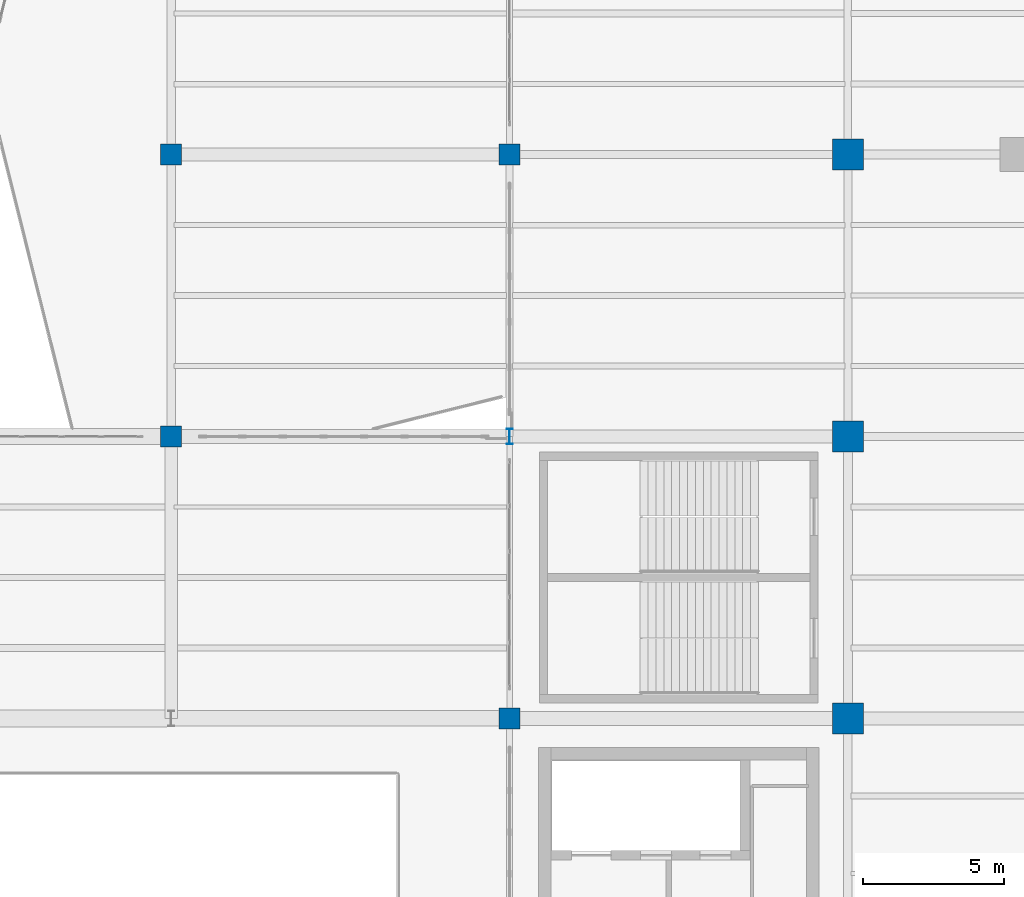
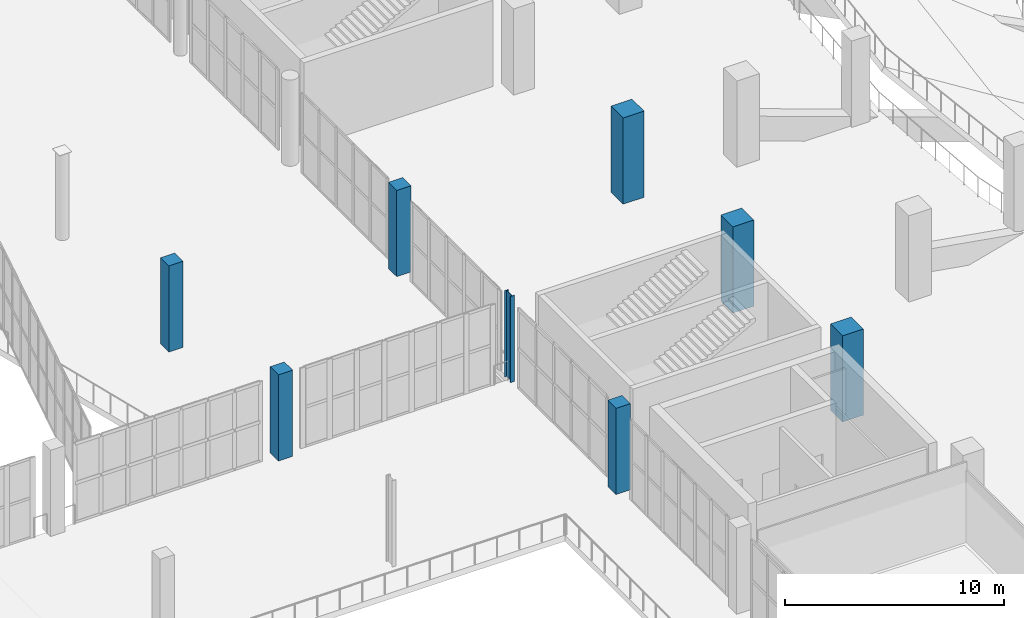
# One storey, part 4 of 136: 8 columns.
"""IFC4 building model written with IfcOpenShell, lengths in metres."""

from ifc_helpers import new_model, si_unit, direction, frame, origin, origin_2d, place, context, subcontext, project, spatial, rectangle, i_section, extrude, material, material_profile, profile_set, type_object, element, save


model = new_model("IFC4")

# Units and contexts
model_context = context("Model", 3, precision=1e-05, world=origin(), true_north=direction((0.0, 1.0)))
body_context = subcontext(model_context, "Body", "Model", "MODEL_VIEW")
ifc_project = project(units=[si_unit("LENGTHUNIT", "METRE"), si_unit("AREAUNIT", "SQUARE_METRE"), si_unit("VOLUMEUNIT", "CUBIC_METRE"), si_unit("PLANEANGLEUNIT", "RADIAN"), si_unit("MASSUNIT", "GRAM", prefix="KILO")], contexts=[model_context])

# Site, building, storey
site_placement = place(None, origin())
site = spatial("IfcSite", under=ifc_project, at=site_placement, CompositionType="ELEMENT")
building_placement = place(site_placement, origin())
building = spatial("IfcBuilding", under=site, at=building_placement, Name="Brinegate Civic Arena", CompositionType="ELEMENT")
storey_placement = place(building_placement, frame((0.0, 0.0, 5.39990234375)))
storey = spatial("IfcBuildingStorey", under=building, at=storey_placement, Name="L01", CompositionType="ELEMENT", Elevation=5.39990234375)

# Columns
ifc_material_1 = material(Name="Concrete C50/60", Category="concrete")
ifc_material_profile_1 = material_profile(ifc_material_1, rectangle(XDim=1.10009765625, YDim=1.10009765625, at=origin_2d()), Name="RC1100X1100")
ifc_profile_set_1 = profile_set([ifc_material_profile_1], Name="Concrete C50/60")
column_type_1 = type_object("IfcColumnType", Name="COL-CC02-1100", PredefinedType="COLUMN", material=ifc_profile_set_1)
for number, where, z_axis, x_axis, name in (
    (1, (60.0, 42.0, 0.0), (0.0, 0.0, 1.0), (1.0, 0.0, 0.0), "Column COL-L01-6-E"),
    (2, (60.0, 52.0, 0.0), (0.0, 0.0, 1.0), (1.0, 0.0, 0.0), "Column COL-L01-6-F"),
    (3, (60.0, 62.0, 0.0), (0.0, 0.0, 1.0), (1.0, 0.0, 0.0), "Column COL-L01-6-G"),
):
    element("IfcColumn", number, at=place(storey_placement, frame(where, z_axis=z_axis, x_axis=x_axis)), inside=storey, type_object=column_type_1, Name=name, PredefinedType="COLUMN", context=body_context, shape_type="SweptSolid", body=[
        extrude(rectangle(XDim=1.10009765625, YDim=1.10009765625, at=origin_2d()), origin(), (0.0, 0.0, 1.0), 4.800048828125),
    ])
ifc_material_profile_2 = material_profile(ifc_material_1, rectangle(XDim=0.75, YDim=0.75, at=origin_2d()), Name="RC750X750")
ifc_profile_set_2 = profile_set([ifc_material_profile_2], Name="Concrete C50/60")
column_type_2 = type_object("IfcColumnType", Name="COL-CC08-750", PredefinedType="COLUMN", material=ifc_profile_set_2)
for number, where, z_axis, x_axis, name in (
    (4, (36.0, 52.0, 0.0), (0.0, 0.0, 1.0), (1.0, 0.0, 0.0), "Column COL-L01-4-F"),
    (5, (36.0, 62.0, 0.0), (0.0, 0.0, 1.0), (1.0, 0.0, 0.0), "Column COL-L01-4-G"),
    (6, (48.0, 42.0, 0.0), (0.0, 0.0, 1.0), (1.0, 0.0, 0.0), "Column COL-L01-5-E"),
    (7, (48.0, 62.0, 0.0), (0.0, 0.0, 1.0), (1.0, 0.0, 0.0), "Column COL-L01-5-G"),
):
    element("IfcColumn", number, at=place(storey_placement, frame(where, z_axis=z_axis, x_axis=x_axis)), inside=storey, type_object=column_type_2, Name=name, PredefinedType="COLUMN", context=body_context, shape_type="SweptSolid", body=[
        extrude(rectangle(XDim=0.75, YDim=0.75, at=origin_2d()), origin(), (0.0, 0.0, 1.0), 4.800048828125),
    ])
ifc_material_2 = material(Name="Steel S355", Category="steel")
ifc_material_profile_3 = material_profile(ifc_material_2, i_section(OverallWidth=0.2119140625, OverallDepth=0.5439453125, WebThickness=0.012939453125, FlangeThickness=0.02099609375, FilletRadius=0.01611328125, at=origin_2d()), Name="W530X123")
ifc_profile_set_3 = profile_set([ifc_material_profile_3], Name="Steel S355")
column_type_3 = type_object("IfcColumnType", Name="COL-SC02-W530", PredefinedType="COLUMN", material=ifc_profile_set_3)
column_placement = place(storey_placement, frame((48.0, 52.0, 0.0), z_axis=(0.0, 0.0, 1.0), x_axis=(1.0, 0.0, 0.0)))
element("IfcColumn", 8, at=column_placement, inside=storey, type_object=column_type_3, Name="Column COL-L01-5-F", PredefinedType="COLUMN", context=body_context, shape_type="SweptSolid", body=[
    extrude(i_section(OverallWidth=0.2119140625, OverallDepth=0.5439453125, WebThickness=0.012939453125, FlangeThickness=0.02099609375, FilletRadius=0.01611328125, at=origin_2d()), origin(), (0.0, 0.0, 1.0), 4.800048828125),
])

save(model, "model.ifc")
